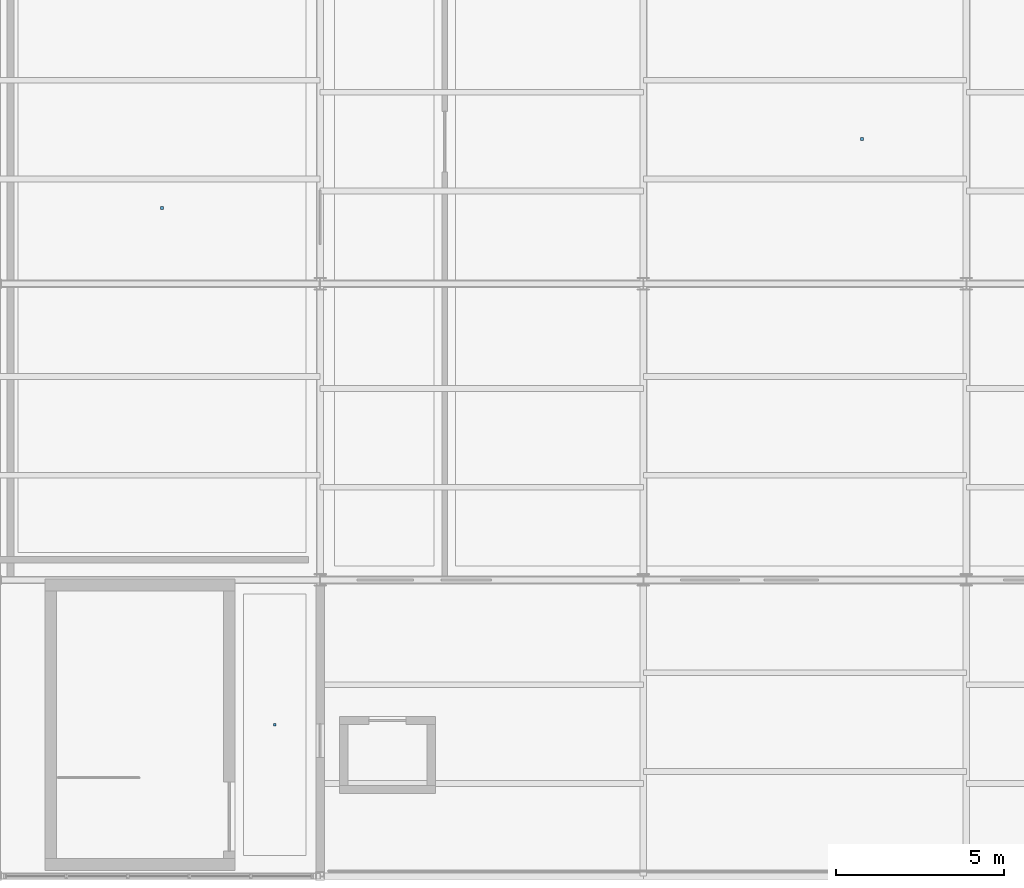
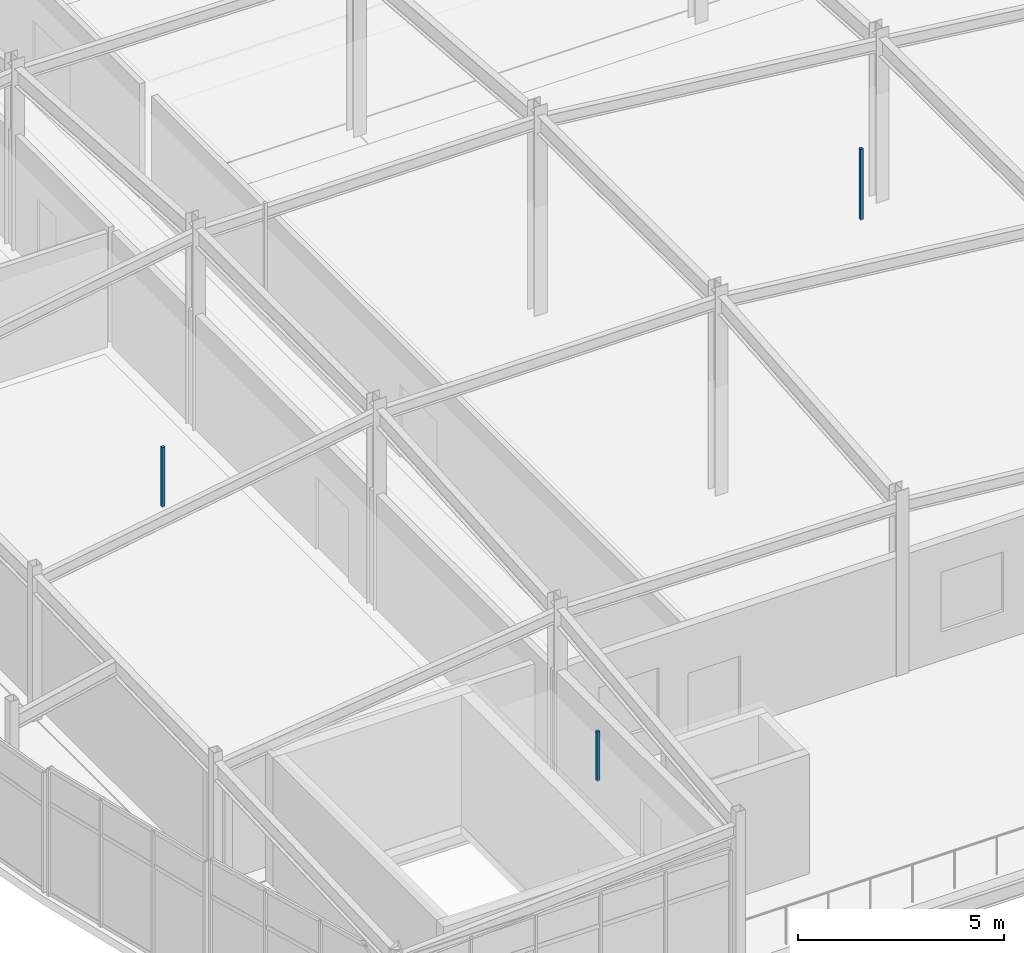
# One storey, part 100 of 114: 3 discrete accessories.
"""IFC4 building model written with IfcOpenShell, lengths in metres."""

from ifc_helpers import new_model, si_unit, direction, frame, origin, origin_2d, place, context, subcontext, project, spatial, rectangle, extrude, material, type_object, element, save


model = new_model("IFC4")

# Units and contexts
model_context = context("Model", 3, precision=1e-05, world=origin(), true_north=direction((0.0, 1.0)))
body_context = subcontext(model_context, "Body", "Model", "MODEL_VIEW")
ifc_project = project(units=[si_unit("LENGTHUNIT", "METRE"), si_unit("AREAUNIT", "SQUARE_METRE"), si_unit("VOLUMEUNIT", "CUBIC_METRE"), si_unit("PLANEANGLEUNIT", "RADIAN"), si_unit("MASSUNIT", "GRAM", prefix="KILO")], contexts=[model_context])

# Site, building, storey
site_placement = place(None, origin())
site = spatial("IfcSite", under=ifc_project, at=site_placement, CompositionType="ELEMENT")
building_placement = place(site_placement, origin())
building = spatial("IfcBuilding", under=site, at=building_placement, Name="Chalmorin Arch Market", CompositionType="ELEMENT")
storey_placement = place(building_placement, frame((0.0, 0.0, 9.60009765625)))
storey = spatial("IfcBuildingStorey", under=building, at=storey_placement, Name="L02", CompositionType="ELEMENT", Elevation=9.60009765625)

# Discrete accessories
ifc_material = material(Name="Galvanized Cold-Formed Steel", Category="steel")
discrete_accessory_type = type_object("IfcDiscreteAccessoryType", Name="CeilingSuspensionBracket-80x80", PredefinedType="BRACKET", material=ifc_material)
discrete_accessory_1_placement = place(storey_placement, frame((8.25, 10.5, 3.203125), z_axis=(0.0, 0.0, 1.0), x_axis=(1.0, 0.0, 0.0)))
element("IfcDiscreteAccessory", 1, at=discrete_accessory_1_placement, inside=storey, type_object=discrete_accessory_type, Name="CSB-210", PredefinedType="BRACKET", context=body_context, shape_type="SweptSolid", body=[
    extrude(rectangle(XDim=0.080078125, YDim=0.080078125, at=origin_2d()), origin(), (0.0, 0.0, 1.0), 1.467041015625),
])
discrete_accessory_2_placement = place(storey_placement, frame((25.699951171875, 27.89990234375, 3.202880859375), z_axis=(0.0, 0.0, 1.0), x_axis=(1.0, 0.0, 0.0)))
element("IfcDiscreteAccessory", 2, at=discrete_accessory_2_placement, inside=storey, type_object=discrete_accessory_type, Name="CSB-214", PredefinedType="BRACKET", context=body_context, shape_type="SweptSolid", body=[
    extrude(rectangle(XDim=0.080078125, YDim=0.080078125, at=origin_2d()), origin(), (0.0, 0.0, 1.0), 2.10693359375),
])
discrete_accessory_3_placement = place(storey_placement, frame((4.89990234375, 25.85009765625, 3.208984375), z_axis=(0.0, 0.0, 1.0), x_axis=(1.0, 0.0, 0.0)))
element("IfcDiscreteAccessory", 3, at=discrete_accessory_3_placement, inside=storey, type_object=discrete_accessory_type, Name="CSB-218", PredefinedType="BRACKET", context=body_context, shape_type="SweptSolid", body=[
    extrude(rectangle(XDim=0.080078125, YDim=0.080078125, at=origin_2d()), origin(), (0.0, 0.0, 1.0), 1.763916015625),
])

save(model, "model.ifc")
